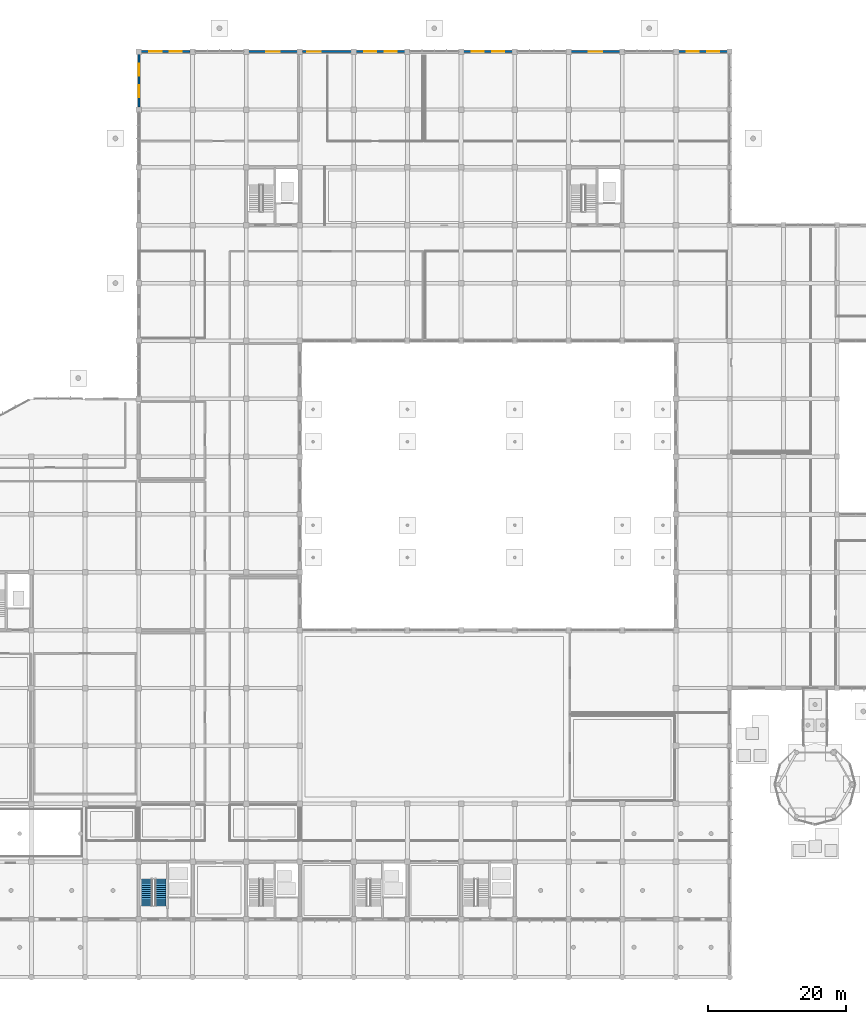
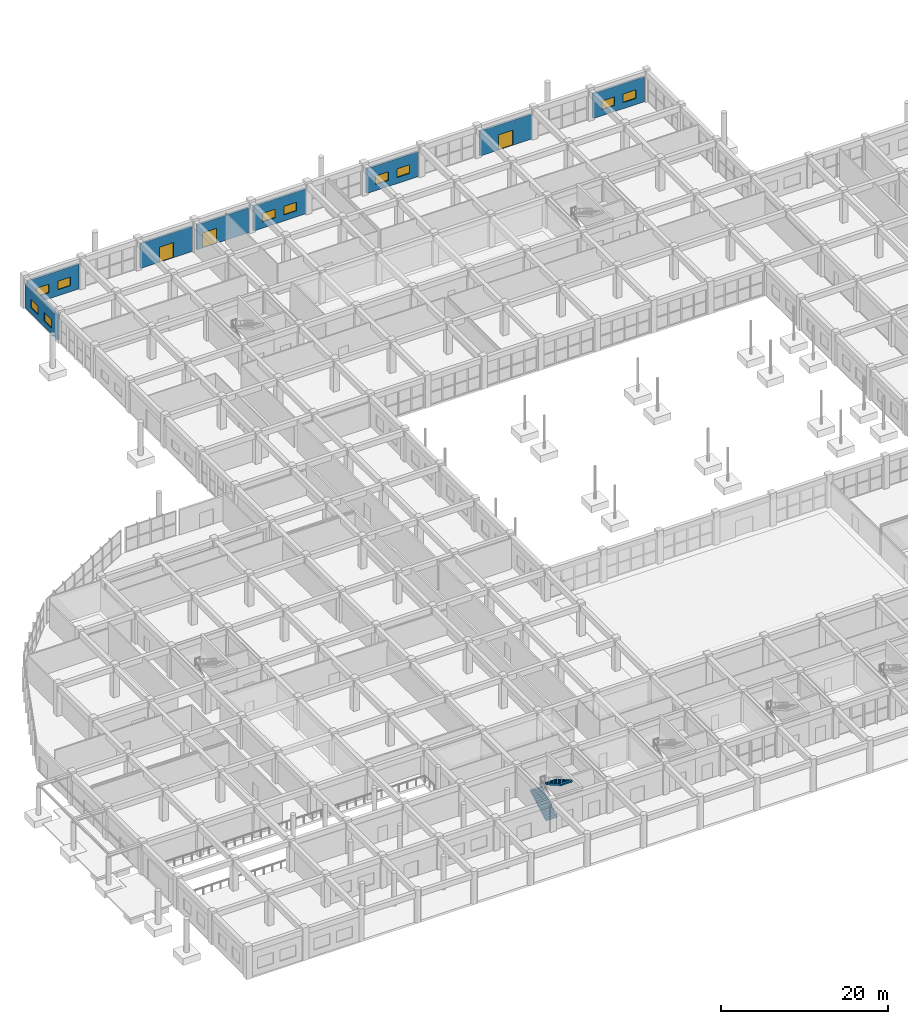
# One storey, part 131 of 139: 10 windows, 8 walls, 3 doors, 2 stair flights, 13 openings, 1 element without a shape of its own.
"""IFC4 building model written with IfcOpenShell, lengths in metres."""

from ifc_helpers import new_model, si_unit, direction, frame, frame_2d, origin, place, context, subcontext, project, spatial, polyline, rectangle, outline, extrude, material, layer, layer_set, type_object, element, fill, aggregate, save


model = new_model("IFC4")

# Units and contexts
model_context = context("Model", 3, precision=1e-05, world=origin(), true_north=direction((0.0, 1.0)))
body_context = subcontext(model_context, "Body", "Model", "MODEL_VIEW")
ifc_project = project(units=[si_unit("LENGTHUNIT", "METRE"), si_unit("AREAUNIT", "SQUARE_METRE"), si_unit("VOLUMEUNIT", "CUBIC_METRE"), si_unit("PLANEANGLEUNIT", "RADIAN"), si_unit("MASSUNIT", "GRAM", prefix="KILO")], contexts=[model_context])

# Site, building, storey
site_placement = place(None, origin())
site = spatial("IfcSite", under=ifc_project, at=site_placement, CompositionType="ELEMENT")
building_placement = place(site_placement, origin())
building = spatial("IfcBuilding", under=site, at=building_placement, Name="Zizhar Promenade General Hospital", CompositionType="ELEMENT")
storey_placement = place(building_placement, origin())
storey = spatial("IfcBuildingStorey", under=building, at=storey_placement, Name="L00", CompositionType="ELEMENT", Elevation=0.0)

# Wall, openings, windows
ifc_material_1 = material(Name="Precast concrete C40/50", Category="concrete")
ifc_layer = layer(ifc_material_1, 0.27490234375)
ifc_layer_set = layer_set([ifc_layer], Name="Precast concrete C40/50")
wall_type = type_object("IfcWallType", Name="EW-PC-275", PredefinedType="STANDARD", material=ifc_layer_set)
wall_1_placement = place(storey_placement, frame((46.800048828125, 126.340087890625, 0.0), z_axis=(0.0, 0.0, 1.0), x_axis=(0.0, 1.0, 0.0)))
wall_1 = element("IfcWall", 1, at=wall_1_placement, inside=storey, type_object=wall_type, Name="Surgical West Wall L00-15", PredefinedType="STANDARD", context=body_context, shape_type="SweptSolid", body=[
    extrude(rectangle(XDim=7.719970703125, YDim=0.27490234375, at=frame_2d((3.85986328125, 0.0))), origin(), (0.0, 0.0, 1.0), 3.614990234375),
])
opening_1_placement = place(wall_1_placement, frame((1.40673828125, 0.0, 0.89990234375)))
opening_1 = element("IfcOpeningElement", 2, at=opening_1_placement, cuts=wall_1, Name="Opening W-25", PredefinedType="OPENING", context=body_context, shape_type="SweptSolid", body=[
    extrude(rectangle(XDim=1.75, YDim=1.25, at=frame_2d((0.875, 0.625))), frame((0.0, 0.1474609375, 0.0), z_axis=(0.0, -1.0, 0.0), x_axis=(1.0, 0.0, 0.0)), (0.0, 0.0, 1.0), 0.294921875),
])
opening_2_placement = place(wall_1_placement, frame((4.563232421875, 0.0, 0.89990234375)))
opening_2 = element("IfcOpeningElement", 3, at=opening_2_placement, cuts=wall_1, Name="Opening W-25", PredefinedType="OPENING", context=body_context, shape_type="SweptSolid", body=[
    extrude(rectangle(XDim=1.75, YDim=1.25, at=frame_2d((0.875, 0.625))), frame((0.0, 0.1474609375, 0.0), z_axis=(0.0, -1.0, 0.0), x_axis=(1.0, 0.0, 0.0)), (0.0, 0.0, 1.0), 0.294921875),
])
ifc_material_2 = material(Name="Anodised aluminium 6063-T6 and low-E glass", Category="aluminium")
window_type = type_object("IfcWindowType", Name="WIN-OR-175x125", PartitioningType="DOUBLE_PANEL_VERTICAL", PredefinedType="WINDOW", material=ifc_material_2)
window_1_placement = place(opening_1_placement, origin())
window_1 = element("IfcWindow", 4, at=window_1_placement, inside=storey, type_object=window_type, Name="Surgical West Wall L00-15 Window 1", OverallHeight=1.25, OverallWidth=1.75, PartitioningType="SINGLE_PANEL", PredefinedType="WINDOW", context=body_context, shape_type="SweptSolid", body=[
    extrude(rectangle(XDim=1.75, YDim=1.25, at=frame_2d((0.875, 0.625))), frame((0.0, 0.030029296875, 0.0), z_axis=(0.0, -1.0, 0.0), x_axis=(1.0, 0.0, 0.0)), (0.0, 0.0, 1.0), 0.06005859375),
])
fill(opening_1, window_1)
window_2_placement = place(opening_2_placement, origin())
window_2 = element("IfcWindow", 5, at=window_2_placement, inside=storey, type_object=window_type, Name="Surgical West Wall L00-15 Window 2", OverallHeight=1.25, OverallWidth=1.75, PartitioningType="SINGLE_PANEL", PredefinedType="WINDOW", context=body_context, shape_type="SweptSolid", body=[
    extrude(rectangle(XDim=1.75, YDim=1.25, at=frame_2d((0.875, 0.625))), frame((0.0, 0.030029296875, 0.0), z_axis=(0.0, -1.0, 0.0), x_axis=(1.0, 0.0, 0.0)), (0.0, 0.0, 1.0), 0.06005859375),
])
fill(opening_2, window_2)

wall_2_placement = place(storey_placement, frame((47.139892578125, 134.39990234375, 0.0), z_axis=(0.0, 0.0, 1.0), x_axis=(1.0, 0.0, 0.0)))
wall_2 = element("IfcWall", 6, at=wall_2_placement, inside=storey, type_object=wall_type, Name="Surgical North Wall L00-6", PredefinedType="STANDARD", context=body_context, shape_type="SweptSolid", body=[
    extrude(rectangle(XDim=7.1201171875, YDim=0.27490234375, at=frame_2d((3.56005859375, 0.0))), origin(), (0.0, 0.0, 1.0), 3.6298828125),
])
opening_3_placement = place(wall_2_placement, frame((1.206787109375, 0.0, 0.89990234375)))
opening_3 = element("IfcOpeningElement", 7, at=opening_3_placement, cuts=wall_2, Name="Opening W-25", PredefinedType="OPENING", context=body_context, shape_type="SweptSolid", body=[
    extrude(rectangle(XDim=1.75, YDim=1.25, at=frame_2d((0.875, 0.625))), frame((0.0, 0.1474609375, 0.0), z_axis=(0.0, -1.0, 0.0), x_axis=(1.0, 0.0, 0.0)), (0.0, 0.0, 1.0), 0.294921875),
])
opening_4_placement = place(wall_2_placement, frame((4.163330078125, 0.0, 0.89990234375)))
opening_4 = element("IfcOpeningElement", 8, at=opening_4_placement, cuts=wall_2, Name="Opening W-25", PredefinedType="OPENING", context=body_context, shape_type="SweptSolid", body=[
    extrude(rectangle(XDim=1.75, YDim=1.25, at=frame_2d((0.875, 0.625))), frame((0.0, 0.1474609375, 0.0), z_axis=(0.0, -1.0, 0.0), x_axis=(1.0, 0.0, 0.0)), (0.0, 0.0, 1.0), 0.294921875),
])
window_3_placement = place(opening_3_placement, origin())
window_3 = element("IfcWindow", 9, at=window_3_placement, inside=storey, type_object=window_type, Name="Surgical North Wall L00-6 Window 1", OverallHeight=1.25, OverallWidth=1.75, PartitioningType="SINGLE_PANEL", PredefinedType="WINDOW", context=body_context, shape_type="SweptSolid", body=[
    extrude(rectangle(XDim=1.75, YDim=1.25, at=frame_2d((0.875, 0.625))), frame((0.0, 0.030029296875, 0.0), z_axis=(0.0, -1.0, 0.0), x_axis=(1.0, 0.0, 0.0)), (0.0, 0.0, 1.0), 0.06005859375),
])
fill(opening_3, window_3)
window_4_placement = place(opening_4_placement, origin())
window_4 = element("IfcWindow", 10, at=window_4_placement, inside=storey, type_object=window_type, Name="Surgical North Wall L00-6 Window 2", OverallHeight=1.25, OverallWidth=1.75, PartitioningType="SINGLE_PANEL", PredefinedType="WINDOW", context=body_context, shape_type="SweptSolid", body=[
    extrude(rectangle(XDim=1.75, YDim=1.25, at=frame_2d((0.875, 0.625))), frame((0.0, 0.030029296875, 0.0), z_axis=(0.0, -1.0, 0.0), x_axis=(1.0, 0.0, 0.0)), (0.0, 0.0, 1.0), 0.06005859375),
])
fill(opening_4, window_4)

# Wall, opening, door
wall_3_placement = place(storey_placement, frame((62.739990234375, 134.39990234375, 0.0), z_axis=(0.0, 0.0, 1.0), x_axis=(1.0, 0.0, 0.0)))
wall_3 = element("IfcWall", 11, at=wall_3_placement, inside=storey, type_object=wall_type, Name="Surgical North Wall L00-8", PredefinedType="STANDARD", context=body_context, shape_type="SweptSolid", body=[
    extrude(rectangle(XDim=7.1201171875, YDim=0.27490234375, at=frame_2d((3.56005859375, 0.0))), origin(), (0.0, 0.0, 1.0), 3.6298828125),
])
opening_5_placement = place(wall_3_placement, frame((2.580078125, 0.0, 0.0)))
opening_5 = element("IfcOpeningElement", 12, at=opening_5_placement, cuts=wall_3, Name="Opening ED-02", PredefinedType="OPENING", context=body_context, shape_type="SweptSolid", body=[
    extrude(rectangle(XDim=1.9599609375, YDim=2.199951171875, at=frame_2d((0.97998046875, 1.10009765625))), frame((0.0, 0.1474609375, 0.0), z_axis=(0.0, -1.0, 0.0), x_axis=(1.0, 0.0, 0.0)), (0.0, 0.0, 1.0), 0.294921875),
])
ifc_material_3 = material(Name="Anodised aluminium 6063-T6 and laminated safety glass", Category="aluminium")
door_type = type_object("IfcDoorType", Name="DR-EXT-EXIT-196x220", OperationType="DOUBLE_DOOR_SINGLE_SWING", PredefinedType="DOOR", material=ifc_material_3)
door_1_placement = place(opening_5_placement, origin())
door_1 = element("IfcDoor", 13, at=door_1_placement, inside=storey, type_object=door_type, Name="North Boulevard Final Exit Door 8", OperationType="DOUBLE_DOOR_SINGLE_SWING", OverallHeight=2.199951171875, OverallWidth=1.9599609375, PredefinedType="DOOR", context=body_context, shape_type="SweptSolid", body=[
    extrude(rectangle(XDim=1.9599609375, YDim=2.199951171875, at=frame_2d((0.97998046875, 1.10009765625))), frame((0.0, 0.02490234375, 0.0), z_axis=(0.0, -1.0, 0.0), x_axis=(1.0, 0.0, 0.0)), (0.0, 0.0, 1.0), 0.050048828125),
])
fill(opening_5, door_1)

wall_4_placement = place(storey_placement, frame((70.5400390625, 134.39990234375, 0.0), z_axis=(0.0, 0.0, 1.0), x_axis=(1.0, 0.0, 0.0)))
wall_4 = element("IfcWall", 14, at=wall_4_placement, inside=storey, type_object=wall_type, Name="Surgical North Wall L00-9", PredefinedType="STANDARD", context=body_context, shape_type="SweptSolid", body=[
    extrude(rectangle(XDim=7.119873046875, YDim=0.27490234375, at=frame_2d((3.56005859375, 0.0))), origin(), (0.0, 0.0, 1.0), 3.6298828125),
])
opening_6_placement = place(wall_4_placement, frame((0.728759765625, 0.0, 0.0)))
opening_6 = element("IfcOpeningElement", 15, at=opening_6_placement, cuts=wall_4, Name="Opening ED-02", PredefinedType="OPENING", context=body_context, shape_type="SweptSolid", body=[
    extrude(rectangle(XDim=1.9599609375, YDim=2.199951171875, at=frame_2d((0.97998046875, 1.10009765625))), frame((0.0, 0.1474609375, 0.0), z_axis=(0.0, -1.0, 0.0), x_axis=(1.0, 0.0, 0.0)), (0.0, 0.0, 1.0), 0.294921875),
])
door_2_placement = place(opening_6_placement, origin())
door_2 = element("IfcDoor", 16, at=door_2_placement, inside=storey, type_object=door_type, Name="North Boulevard Final Exit Door 9", OperationType="DOUBLE_DOOR_SINGLE_SWING", OverallHeight=2.199951171875, OverallWidth=1.9599609375, PredefinedType="DOOR", context=body_context, shape_type="SweptSolid", body=[
    extrude(rectangle(XDim=1.9599609375, YDim=2.199951171875, at=frame_2d((0.97998046875, 1.10009765625))), frame((0.0, 0.02490234375, 0.0), z_axis=(0.0, -1.0, 0.0), x_axis=(1.0, 0.0, 0.0)), (0.0, 0.0, 1.0), 0.050048828125),
])
fill(opening_6, door_2)

# Wall, openings, windows
wall_5_placement = place(storey_placement, frame((78.340087890625, 134.39990234375, 0.0), z_axis=(0.0, 0.0, 1.0), x_axis=(1.0, 0.0, 0.0)))
wall_5 = element("IfcWall", 17, at=wall_5_placement, inside=storey, type_object=wall_type, Name="Surgical North Wall L00-10", PredefinedType="STANDARD", context=body_context, shape_type="SweptSolid", body=[
    extrude(rectangle(XDim=7.119873046875, YDim=0.27490234375, at=frame_2d((3.56005859375, 0.0))), origin(), (0.0, 0.0, 1.0), 3.6298828125),
])
opening_7_placement = place(wall_5_placement, frame((1.206787109375, 0.0, 0.89990234375)))
opening_7 = element("IfcOpeningElement", 18, at=opening_7_placement, cuts=wall_5, Name="Opening W-25", PredefinedType="OPENING", context=body_context, shape_type="SweptSolid", body=[
    extrude(rectangle(XDim=1.75, YDim=1.25, at=frame_2d((0.875, 0.625))), frame((0.0, 0.1474609375, 0.0), z_axis=(0.0, -1.0, 0.0), x_axis=(1.0, 0.0, 0.0)), (0.0, 0.0, 1.0), 0.294921875),
])
opening_8_placement = place(wall_5_placement, frame((4.163330078125, 0.0, 0.89990234375)))
opening_8 = element("IfcOpeningElement", 19, at=opening_8_placement, cuts=wall_5, Name="Opening W-25", PredefinedType="OPENING", context=body_context, shape_type="SweptSolid", body=[
    extrude(rectangle(XDim=1.75, YDim=1.25, at=frame_2d((0.875, 0.625))), frame((0.0, 0.1474609375, 0.0), z_axis=(0.0, -1.0, 0.0), x_axis=(1.0, 0.0, 0.0)), (0.0, 0.0, 1.0), 0.294921875),
])
window_5_placement = place(opening_7_placement, origin())
window_5 = element("IfcWindow", 20, at=window_5_placement, inside=storey, type_object=window_type, Name="Surgical North Wall L00-10 Window 1", OverallHeight=1.25, OverallWidth=1.75, PartitioningType="SINGLE_PANEL", PredefinedType="WINDOW", context=body_context, shape_type="SweptSolid", body=[
    extrude(rectangle(XDim=1.75, YDim=1.25, at=frame_2d((0.875, 0.625))), frame((0.0, 0.030029296875, 0.0), z_axis=(0.0, -1.0, 0.0), x_axis=(1.0, 0.0, 0.0)), (0.0, 0.0, 1.0), 0.06005859375),
])
fill(opening_7, window_5)
window_6_placement = place(opening_8_placement, origin())
window_6 = element("IfcWindow", 21, at=window_6_placement, inside=storey, type_object=window_type, Name="Surgical North Wall L00-10 Window 2", OverallHeight=1.25, OverallWidth=1.75, PartitioningType="SINGLE_PANEL", PredefinedType="WINDOW", context=body_context, shape_type="SweptSolid", body=[
    extrude(rectangle(XDim=1.75, YDim=1.25, at=frame_2d((0.875, 0.625))), frame((0.0, 0.030029296875, 0.0), z_axis=(0.0, -1.0, 0.0), x_axis=(1.0, 0.0, 0.0)), (0.0, 0.0, 1.0), 0.06005859375),
])
fill(opening_8, window_6)

wall_6_placement = place(storey_placement, frame((93.93994140625, 134.39990234375, 0.0), z_axis=(0.0, 0.0, 1.0), x_axis=(1.0, 0.0, 0.0)))
wall_6 = element("IfcWall", 22, at=wall_6_placement, inside=storey, type_object=wall_type, Name="Surgical North Wall L00-12", PredefinedType="STANDARD", context=body_context, shape_type="SweptSolid", body=[
    extrude(rectangle(XDim=7.1201171875, YDim=0.27490234375, at=frame_2d((3.56005859375, 0.0))), origin(), (0.0, 0.0, 1.0), 3.6298828125),
])
opening_9_placement = place(wall_6_placement, frame((1.206787109375, 0.0, 0.89990234375)))
opening_9 = element("IfcOpeningElement", 23, at=opening_9_placement, cuts=wall_6, Name="Opening W-25", PredefinedType="OPENING", context=body_context, shape_type="SweptSolid", body=[
    extrude(rectangle(XDim=1.75, YDim=1.25, at=frame_2d((0.875, 0.625))), frame((0.0, 0.1474609375, 0.0), z_axis=(0.0, -1.0, 0.0), x_axis=(1.0, 0.0, 0.0)), (0.0, 0.0, 1.0), 0.294921875),
])
opening_10_placement = place(wall_6_placement, frame((4.163330078125, 0.0, 0.89990234375)))
opening_10 = element("IfcOpeningElement", 24, at=opening_10_placement, cuts=wall_6, Name="Opening W-25", PredefinedType="OPENING", context=body_context, shape_type="SweptSolid", body=[
    extrude(rectangle(XDim=1.75, YDim=1.25, at=frame_2d((0.875, 0.625))), frame((0.0, 0.1474609375, 0.0), z_axis=(0.0, -1.0, 0.0), x_axis=(1.0, 0.0, 0.0)), (0.0, 0.0, 1.0), 0.294921875),
])
window_7_placement = place(opening_9_placement, origin())
window_7 = element("IfcWindow", 25, at=window_7_placement, inside=storey, type_object=window_type, Name="Surgical North Wall L00-12 Window 1", OverallHeight=1.25, OverallWidth=1.75, PartitioningType="SINGLE_PANEL", PredefinedType="WINDOW", context=body_context, shape_type="SweptSolid", body=[
    extrude(rectangle(XDim=1.75, YDim=1.25, at=frame_2d((0.875, 0.625))), frame((0.0, 0.030029296875, 0.0), z_axis=(0.0, -1.0, 0.0), x_axis=(1.0, 0.0, 0.0)), (0.0, 0.0, 1.0), 0.06005859375),
])
fill(opening_9, window_7)
window_8_placement = place(opening_10_placement, origin())
window_8 = element("IfcWindow", 26, at=window_8_placement, inside=storey, type_object=window_type, Name="Surgical North Wall L00-12 Window 2", OverallHeight=1.25, OverallWidth=1.75, PartitioningType="SINGLE_PANEL", PredefinedType="WINDOW", context=body_context, shape_type="SweptSolid", body=[
    extrude(rectangle(XDim=1.75, YDim=1.25, at=frame_2d((0.875, 0.625))), frame((0.0, 0.030029296875, 0.0), z_axis=(0.0, -1.0, 0.0), x_axis=(1.0, 0.0, 0.0)), (0.0, 0.0, 1.0), 0.06005859375),
])
fill(opening_10, window_8)

# Wall, opening, door
wall_7_placement = place(storey_placement, frame((109.5400390625, 134.39990234375, 0.0), z_axis=(0.0, 0.0, 1.0), x_axis=(1.0, 0.0, 0.0)))
wall_7 = element("IfcWall", 27, at=wall_7_placement, inside=storey, type_object=wall_type, Name="Surgical North Wall L00-14", PredefinedType="STANDARD", context=body_context, shape_type="SweptSolid", body=[
    extrude(rectangle(XDim=7.119873046875, YDim=0.27490234375, at=frame_2d((3.56005859375, 0.0))), origin(), (0.0, 0.0, 1.0), 3.6298828125),
])
opening_11_placement = place(wall_7_placement, frame((2.580078125, 0.0, 0.0)))
opening_11 = element("IfcOpeningElement", 28, at=opening_11_placement, cuts=wall_7, Name="Opening ED-02", PredefinedType="OPENING", context=body_context, shape_type="SweptSolid", body=[
    extrude(rectangle(XDim=1.9599609375, YDim=2.199951171875, at=frame_2d((0.97998046875, 1.10009765625))), frame((0.0, 0.1474609375, 0.0), z_axis=(0.0, -1.0, 0.0), x_axis=(1.0, 0.0, 0.0)), (0.0, 0.0, 1.0), 0.294921875),
])
door_3_placement = place(opening_11_placement, origin())
door_3 = element("IfcDoor", 29, at=door_3_placement, inside=storey, type_object=door_type, Name="North Boulevard Final Exit Door 14", OperationType="DOUBLE_DOOR_SINGLE_SWING", OverallHeight=2.199951171875, OverallWidth=1.9599609375, PredefinedType="DOOR", context=body_context, shape_type="SweptSolid", body=[
    extrude(rectangle(XDim=1.9599609375, YDim=2.199951171875, at=frame_2d((0.97998046875, 1.10009765625))), frame((0.0, 0.02490234375, 0.0), z_axis=(0.0, -1.0, 0.0), x_axis=(1.0, 0.0, 0.0)), (0.0, 0.0, 1.0), 0.050048828125),
])
fill(opening_11, door_3)

# Wall, openings, windows
wall_8_placement = place(storey_placement, frame((125.139892578125, 134.39990234375, 0.0), z_axis=(0.0, 0.0, 1.0), x_axis=(1.0, 0.0, 0.0)))
wall_8 = element("IfcWall", 30, at=wall_8_placement, inside=storey, type_object=wall_type, Name="Surgical North Wall L00-16", PredefinedType="STANDARD", context=body_context, shape_type="SweptSolid", body=[
    extrude(rectangle(XDim=7.1201171875, YDim=0.27490234375, at=frame_2d((3.56005859375, 0.0))), origin(), (0.0, 0.0, 1.0), 3.6298828125),
])
opening_12_placement = place(wall_8_placement, frame((1.206787109375, 0.0, 0.89990234375)))
opening_12 = element("IfcOpeningElement", 31, at=opening_12_placement, cuts=wall_8, Name="Opening W-25", PredefinedType="OPENING", context=body_context, shape_type="SweptSolid", body=[
    extrude(rectangle(XDim=1.75, YDim=1.25, at=frame_2d((0.875, 0.625))), frame((0.0, 0.1474609375, 0.0), z_axis=(0.0, -1.0, 0.0), x_axis=(1.0, 0.0, 0.0)), (0.0, 0.0, 1.0), 0.294921875),
])
opening_13_placement = place(wall_8_placement, frame((4.163330078125, 0.0, 0.89990234375)))
opening_13 = element("IfcOpeningElement", 32, at=opening_13_placement, cuts=wall_8, Name="Opening W-25", PredefinedType="OPENING", context=body_context, shape_type="SweptSolid", body=[
    extrude(rectangle(XDim=1.75, YDim=1.25, at=frame_2d((0.875, 0.625))), frame((0.0, 0.1474609375, 0.0), z_axis=(0.0, -1.0, 0.0), x_axis=(1.0, 0.0, 0.0)), (0.0, 0.0, 1.0), 0.294921875),
])
window_9_placement = place(opening_12_placement, origin())
window_9 = element("IfcWindow", 33, at=window_9_placement, inside=storey, type_object=window_type, Name="Surgical North Wall L00-16 Window 1", OverallHeight=1.25, OverallWidth=1.75, PartitioningType="SINGLE_PANEL", PredefinedType="WINDOW", context=body_context, shape_type="SweptSolid", body=[
    extrude(rectangle(XDim=1.75, YDim=1.25, at=frame_2d((0.875, 0.625))), frame((0.0, 0.030029296875, 0.0), z_axis=(0.0, -1.0, 0.0), x_axis=(1.0, 0.0, 0.0)), (0.0, 0.0, 1.0), 0.06005859375),
])
fill(opening_12, window_9)
window_10_placement = place(opening_13_placement, origin())
window_10 = element("IfcWindow", 34, at=window_10_placement, inside=storey, type_object=window_type, Name="Surgical North Wall L00-16 Window 2", OverallHeight=1.25, OverallWidth=1.75, PartitioningType="SINGLE_PANEL", PredefinedType="WINDOW", context=body_context, shape_type="SweptSolid", body=[
    extrude(rectangle(XDim=1.75, YDim=1.25, at=frame_2d((0.875, 0.625))), frame((0.0, 0.030029296875, 0.0), z_axis=(0.0, -1.0, 0.0), x_axis=(1.0, 0.0, 0.0)), (0.0, 0.0, 1.0), 0.06005859375),
])
fill(opening_13, window_10)

# Stair, stair flights
ifc_material_4 = material(Name="Concrete C35/45", Category="concrete")
stair_type = type_object("IfcStairType", Name="STR-DOG-480", PredefinedType="HALF_TURN_STAIR", material=ifc_material_4)
stair_placement = place(storey_placement, origin())
stair = element("IfcStair", 35, at=stair_placement, inside=storey, type_object=stair_type, Name="Exit Stair ST-02 (L00 to L01)", PredefinedType="HALF_TURN_STAIR")
ifc_material_5 = material(Name="Concrete C35/45", Category="concrete")
stair_flight_type = type_object("IfcStairFlightType", Name="SFL-DOG-480", PredefinedType="STRAIGHT", material=ifc_material_5)
stair_flight_1_placement = place(storey_placement, frame((47.949951171875, 10.35009765625, 0.0), z_axis=(0.0, 0.0, 1.0), x_axis=(0.0, 1.0, 0.0)))
stair_flight_1 = element("IfcStairFlight", 36, at=stair_flight_1_placement, type_object=stair_flight_type, Name="ST-02A flight 1", NumberOfRisers=14, NumberOfTreads=13, PredefinedType="STRAIGHT", RiserHeight=0.171429, TreadLength=0.3, context=body_context, shape_type="SweptSolid", body=[
    extrude(outline(polyline([(0.0, 0.0), (0.0, 0.17138671875), (0.300048828125, 0.17138671875), (0.300048828125, 0.3427734375), (0.60009765625, 0.3427734375), (0.60009765625, 0.514404296875), (0.89990234375, 0.514404296875), (0.89990234375, 0.685791015625), (1.199951171875, 0.685791015625), (1.199951171875, 0.857177734375), (1.5, 0.857177734375), (1.5, 1.028564453125), (1.800048828125, 1.028564453125), (1.800048828125, 1.199951171875), (2.10009765625, 1.199951171875), (2.10009765625, 1.371337890625), (2.39990234375, 1.371337890625), (2.39990234375, 1.54296875), (2.699951171875, 1.54296875), (2.699951171875, 1.71435546875), (3.0, 1.71435546875), (3.0, 1.8857421875), (3.300048828125, 1.8857421875), (3.300048828125, 2.05712890625), (3.60009765625, 2.05712890625), (3.60009765625, 2.228515625), (3.89990234375, 2.228515625), (3.89990234375, 2.39990234375), (3.89990234375, 2.021240234375), (0.362548828125, 0.0), (0.0, 0.0)])), frame((0.0, 0.780029296875, 0.0), z_axis=(0.0, -1.0, 0.0), x_axis=(1.0, 0.0, 0.0)), (0.0, 0.0, 1.0), 1.56005859375),
])
stair_flight_2_placement = place(storey_placement, frame((49.989990234375, 14.25, 2.39990234375), z_axis=(0.0, 0.0, 1.0), x_axis=(0.0, -1.0, 0.0)))
stair_flight_2 = element("IfcStairFlight", 37, at=stair_flight_2_placement, type_object=stair_flight_type, Name="ST-02A flight 2", NumberOfRisers=14, NumberOfTreads=13, PredefinedType="STRAIGHT", RiserHeight=0.171429, TreadLength=0.3, context=body_context, shape_type="SweptSolid", body=[
    extrude(outline(polyline([(0.0, 0.0), (0.0, 0.17138671875), (0.300048828125, 0.17138671875), (0.300048828125, 0.3427734375), (0.60009765625, 0.3427734375), (0.60009765625, 0.514404296875), (0.89990234375, 0.514404296875), (0.89990234375, 0.685791015625), (1.199951171875, 0.685791015625), (1.199951171875, 0.857177734375), (1.5, 0.857177734375), (1.5, 1.028564453125), (1.800048828125, 1.028564453125), (1.800048828125, 1.199951171875), (2.10009765625, 1.199951171875), (2.10009765625, 1.371337890625), (2.39990234375, 1.371337890625), (2.39990234375, 1.54296875), (2.699951171875, 1.54296875), (2.699951171875, 1.71435546875), (3.0, 1.71435546875), (3.0, 1.8857421875), (3.300048828125, 1.8857421875), (3.300048828125, 2.05712890625), (3.60009765625, 2.05712890625), (3.60009765625, 2.228515625), (3.89990234375, 2.228515625), (3.89990234375, 2.39990234375), (3.89990234375, 2.021240234375), (0.362548828125, 0.0), (0.0, 0.0)])), frame((0.0, 0.780029296875, 0.0), z_axis=(0.0, -1.0, 0.0), x_axis=(1.0, 0.0, 0.0)), (0.0, 0.0, 1.0), 1.56005859375),
])
aggregate(stair, [stair_flight_1, stair_flight_2])

save(model, "model.ifc")
